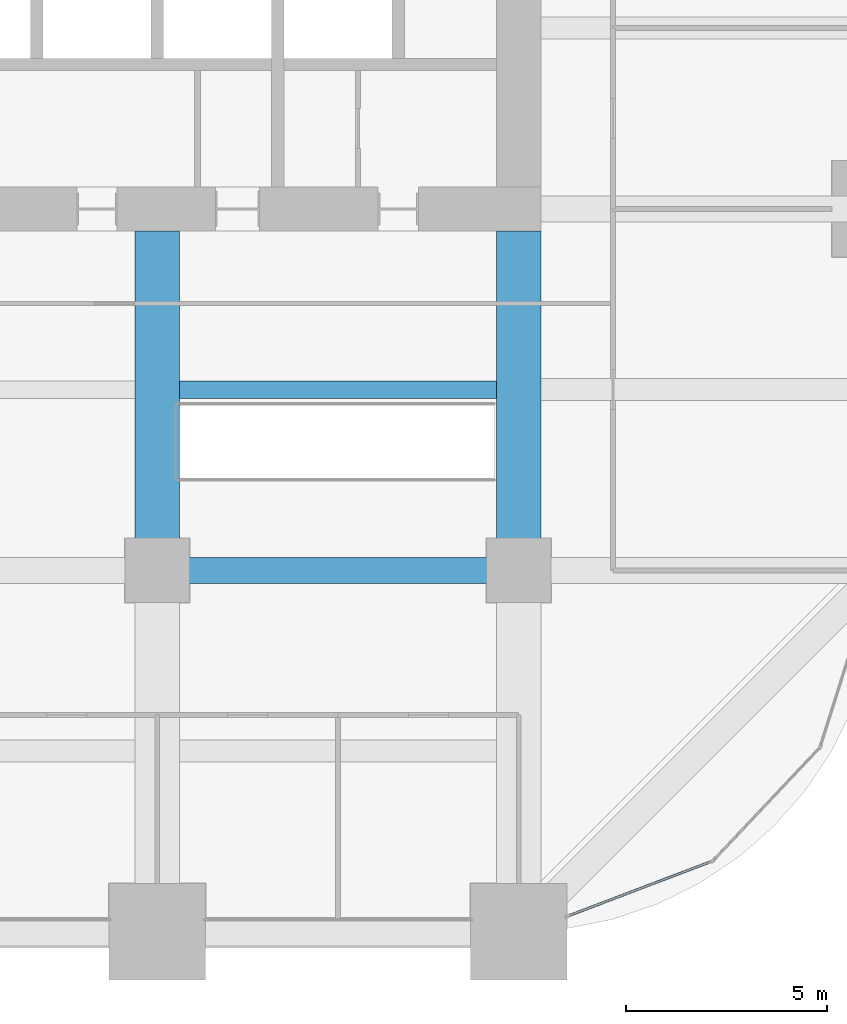
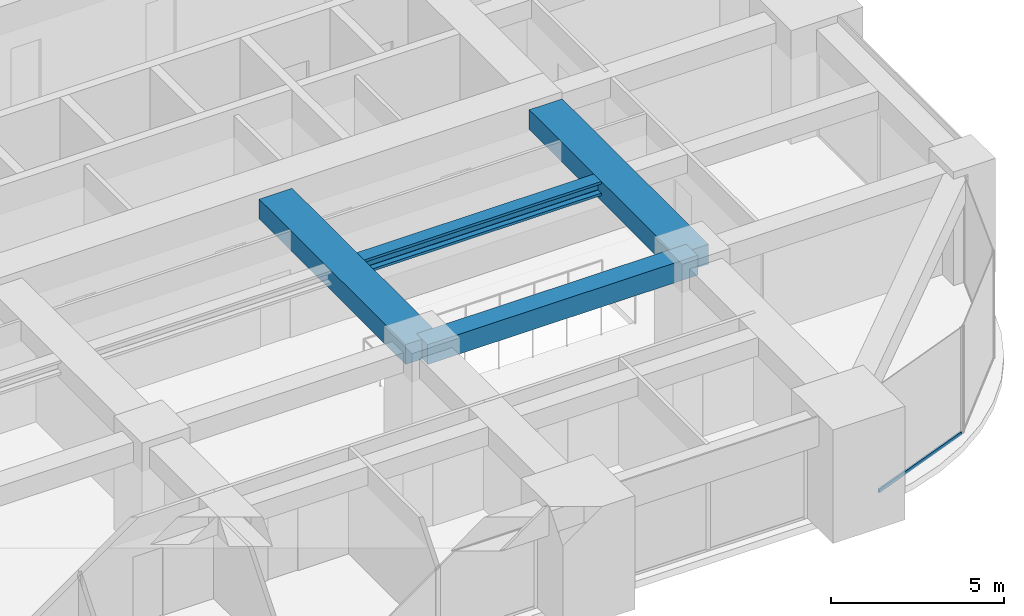
# One storey, part 15 of 33: 4 beams, 1 member, 1 element without a shape of its own.
"""IFC4 building model written with IfcOpenShell, lengths in metres."""

import ifcopenshell
import ifcopenshell.guid

model = None  # the IFC model being written
_history = None  # IfcOwnerHistory: only IFC2X3 demands one
_inside = {}  # id of a spatial element -> (the spatial element, [elements in it])
_under = {}  # id of a project, library or spatial element -> (it, [spatial elements below it])
_declared = {}  # id of a project -> (the project, [libraries it declares])
_typed = {}  # id of a type object -> (the type object, [elements of that type])
_made_of = {}  # id of a material, layer set ... -> (it, [elements and type objects made of it])


def new_model(schema):
    """Start an empty IFC model of exactly this schema.

    Asked for "IFC4X3", IfcOpenShell would pick the latest addendum, in which some entities
    have other attributes; the version numbers below select the first issue.
    IFC2X3 requires an IfcOwnerHistory on every rooted entity: one is made here for all.
    """
    global model, _history
    if schema == "IFC4X3":
        model = ifcopenshell.file(schema_version=(4, 3, 0, 0))
    else:
        model = ifcopenshell.file(schema=schema)
    _inside.clear()
    _under.clear()
    _declared.clear()
    _typed.clear()
    _made_of.clear()
    _history = None
    if model.schema == "IFC2X3":
        org = make("IfcOrganization", Name="unknown")
        user = make(
            "IfcPersonAndOrganization",
            ThePerson=make("IfcPerson", FamilyName="unknown"),
            TheOrganization=org,
        )
        app = make(
            "IfcApplication",
            ApplicationDeveloper=org,
            Version="unknown",
            ApplicationFullName="unknown",
            ApplicationIdentifier="unknown",
        )
        _history = make(
            "IfcOwnerHistory",
            OwningUser=user,
            OwningApplication=app,
            ChangeAction="ADDED",
            CreationDate=0,
        )
    return model


def make(cls, **values):
    """One entity of the class cls with the attributes given. An attribute that is None is left unset."""
    return model.create_entity(
        cls, **{name: value for name, value in values.items() if value is not None}
    )


def rooted(cls, **values):
    """An entity with a GlobalId (a new one), such as an element, a storey or a relation."""
    return make(cls, GlobalId=ifcopenshell.guid.new(), OwnerHistory=_history, **values)


def si_unit(unit_type, name, prefix=None):
    """IfcSIUnit, for example si_unit("LENGTHUNIT", "METRE", prefix="MILLI")."""
    return make("IfcSIUnit", UnitType=unit_type, Prefix=prefix, Name=name)


def assignment(units):
    """IfcUnitAssignment: the units of a project."""
    return None if units is None else make("IfcUnitAssignment", Units=units)


def point(xyz):
    """IfcCartesianPoint."""
    return None if xyz is None else make("IfcCartesianPoint", Coordinates=xyz)


def direction(xyz):
    """IfcDirection."""
    return None if xyz is None else make("IfcDirection", DirectionRatios=xyz)


def frame(location, z_axis=None, x_axis=None):
    """IfcAxis2Placement3D, a coordinate frame: its origin and axes. An axis left out is left unset."""
    return make(
        "IfcAxis2Placement3D",
        Location=point(location),
        Axis=direction(z_axis),
        RefDirection=direction(x_axis),
    )


def frame_2d(location, x_axis=None):
    """IfcAxis2Placement2D, a coordinate frame in the plane: its origin and x axis."""
    return make(
        "IfcAxis2Placement2D", Location=point(location), RefDirection=direction(x_axis)
    )


def origin():
    """The frame at (0, 0, 0) with its axes left unset."""
    return frame((0.0, 0.0, 0.0))


def origin_2d():
    """The frame at (0, 0) in the plane with its x axis left unset."""
    return frame_2d((0.0, 0.0))


def place(relative_to, where):
    """IfcLocalPlacement: puts the frame where relative to a parent placement (None: the world)."""
    return make(
        "IfcLocalPlacement", PlacementRelTo=relative_to, RelativePlacement=where
    )


def context(
    kind, dimensions, precision=None, world=None, true_north=None, identifier=None
):
    """IfcGeometricRepresentationContext, for example the 3D "Model" context."""
    return make(
        "IfcGeometricRepresentationContext",
        ContextIdentifier=identifier,
        ContextType=kind,
        CoordinateSpaceDimension=dimensions,
        Precision=precision,
        WorldCoordinateSystem=world,
        TrueNorth=true_north,
    )


def subcontext(parent, identifier, kind, view, scale=None):
    """IfcGeometricRepresentationSubContext, for example "Body" below "Model"."""
    return make(
        "IfcGeometricRepresentationSubContext",
        ContextIdentifier=identifier,
        ContextType=kind,
        ParentContext=parent,
        TargetScale=scale,
        TargetView=view,
    )


def project(units=None, contexts=None):
    """IfcProject with its units and contexts."""
    return rooted(
        "IfcProject",
        Name="project",
        RepresentationContexts=contexts,
        UnitsInContext=assignment(units),
    )


def spatial(cls, under=None, at=None, **own):
    """A site, building, storey or space (cls), placed at a placement, below another one or the project."""
    s = rooted(cls, ObjectPlacement=at, **own)
    if under is not None:
        _under.setdefault(under.id(), (under, []))[1].append(s)
    return s


def profile(cls, at=None, kind="AREA", **sizes):
    """A parametric profile (cls). Its sizes go by their IFC names, for example OverallWidth=200.0."""
    return make(cls, ProfileType=kind, Position=at, **sizes)


def rectangle(**sizes):
    """IfcRectangleProfileDef."""
    return profile("IfcRectangleProfileDef", **sizes)


def hollow_rectangle(**sizes):
    """IfcRectangleHollowProfileDef."""
    return profile("IfcRectangleHollowProfileDef", **sizes)


def i_section(**sizes):
    """IfcIShapeProfileDef."""
    return profile("IfcIShapeProfileDef", **sizes)


def extrude(swept, where, along, depth):
    """IfcExtrudedAreaSolid: the profile swept, set in the frame where, extruded along a direction by depth."""
    return make(
        "IfcExtrudedAreaSolid",
        SweptArea=swept,
        Position=where,
        ExtrudedDirection=direction(along),
        Depth=depth,
    )


def shape(context_of_items, identifier, shape_type, items):
    """IfcShapeRepresentation: the items that make up one representation, for example the "Body"."""
    return make(
        "IfcShapeRepresentation",
        ContextOfItems=context_of_items,
        RepresentationIdentifier=identifier,
        RepresentationType=shape_type,
        Items=items,
    )


def material(Name=None, Category=None):
    """IfcMaterial."""
    return make("IfcMaterial", Name=Name, Category=Category)


def material_profile(
    of_material, cross_section, Name=None, Category=None, Priority=None
):
    """IfcMaterialProfile: a cross section and its material."""
    return make(
        "IfcMaterialProfile",
        Name=Name,
        Material=of_material,
        Profile=cross_section,
        Priority=Priority,
        Category=Category,
    )


def profile_set(profiles, Name=None, composite=None):
    """IfcMaterialProfileSet."""
    return make(
        "IfcMaterialProfileSet",
        Name=Name,
        MaterialProfiles=profiles,
        CompositeProfile=composite,
    )


def made_of(thing, what):
    """Note that an element or type object is made of a material, layer set ...; save() writes the relation."""
    if what is not None:
        _made_of.setdefault(what.id(), (what, []))[1].append(thing)
    return thing


def type_object(cls, material=None, **own):
    """A type object (cls), such as IfcWallType, which elements share."""
    return made_of(rooted(cls, **own), material)


def element(
    cls,
    number,
    at=None,
    inside=None,
    cuts=None,
    type_object=None,
    material=None,
    context=None,
    identifier="Body",
    shape_type=None,
    held_by="IfcProductDefinitionShape",
    body=None,
    shapes=None,
    **own,
):
    """One element of the class cls, such as IfcWall. Its Tag is "e" and its number.

    at: its placement. inside: the storey or other place that contains it. cuts: it is an
    opening in that element (IfcRelVoidsElement). A single representation is given by context,
    identifier, shape_type and body (its items); several are given by shapes. held_by: the class
    of the entity that holds the representations. save() writes the other relations.
    """
    e = rooted(cls, Tag="e%d" % number, ObjectPlacement=at, **own)
    if body is not None:
        shapes = [shape(context, identifier, shape_type, body)]
    if shapes is not None:
        e.Representation = make(held_by, Representations=shapes)
    if inside is not None:
        _inside.setdefault(inside.id(), (inside, []))[1].append(e)
    if cuts is not None:
        rooted(
            "IfcRelVoidsElement", RelatingBuildingElement=cuts, RelatedOpeningElement=e
        )
    if type_object is not None:
        _typed.setdefault(type_object.id(), (type_object, []))[1].append(e)
    return made_of(e, material)


def aggregate(whole, parts):
    """IfcRelAggregates: a whole, such as a stair, and the parts it consists of."""
    return rooted("IfcRelAggregates", RelatingObject=whole, RelatedObjects=parts)


def save(model, path):
    """Write the relations noted so far, then the file.

    IfcRelAggregates (storeys below a building ...), IfcRelContainedInSpatialStructure (elements
    in a storey), IfcRelDefinesByType, IfcRelAssociatesMaterial and IfcRelDeclares: one each for
    every whole, place, type object, material and project.
    """
    for whole, parts in _under.values():
        aggregate(whole, parts)
    for where, things in _inside.values():
        rooted(
            "IfcRelContainedInSpatialStructure",
            RelatedElements=things,
            RelatingStructure=where,
        )
    for kind, things in _typed.values():
        rooted("IfcRelDefinesByType", RelatedObjects=things, RelatingType=kind)
    for what, things in _made_of.values():
        rooted("IfcRelAssociatesMaterial", RelatedObjects=things, RelatingMaterial=what)
    for by, libraries in _declared.values():
        rooted("IfcRelDeclares", RelatingContext=by, RelatedDefinitions=libraries)
    model.write(path)


model = new_model("IFC4")

# Units and contexts
model_context = context("Model", 3, precision=1e-05, world=origin(), true_north=direction((0.0, 1.0)))
body_context = subcontext(model_context, "Body", "Model", "MODEL_VIEW")
ifc_project = project(units=[si_unit("LENGTHUNIT", "METRE"), si_unit("AREAUNIT", "SQUARE_METRE"), si_unit("VOLUMEUNIT", "CUBIC_METRE"), si_unit("PLANEANGLEUNIT", "RADIAN"), si_unit("MASSUNIT", "GRAM", prefix="KILO")], contexts=[model_context])

# Site, building, storey
site_placement = place(None, origin())
site = spatial("IfcSite", under=ifc_project, at=site_placement, CompositionType="ELEMENT")
building_placement = place(site_placement, origin())
building = spatial("IfcBuilding", under=site, at=building_placement, Name="Zorevar Civic Tower", CompositionType="ELEMENT")
storey_placement = place(building_placement, frame((0.0, 0.0, 178.199951171875)))
storey = spatial("IfcBuildingStorey", under=building, at=storey_placement, Name="L43", CompositionType="ELEMENT", Elevation=178.199951171875)

# Beams
ifc_material_1 = material(Name="Concrete C50/60", Category="concrete")
ifc_material_profile_1 = material_profile(ifc_material_1, rectangle(XDim=1.10009765625, YDim=0.699951171875, at=origin_2d()), Name="RC 1100x700")
ifc_profile_set_1 = profile_set([ifc_material_profile_1], Name="Concrete C50/60")
beam_type_1 = type_object("IfcBeamType", Name="Beam RC 1100x700", PredefinedType="BEAM", material=ifc_profile_set_1)
for number, where, z_axis, x_axis, name in (
    (1, (36.0, 9.0, 3.400146484375), (0.0, 1.0, 0.0), (-1.0, 0.0, 0.0), "Girder L44"),
    (2, (45.0, 9.0, 3.400146484375), (0.0, 1.0, 0.0), (-1.0, 0.0, 0.0), "Girder L44"),
):
    element("IfcBeam", number, at=place(storey_placement, frame(where, z_axis=z_axis, x_axis=x_axis)), inside=storey, type_object=beam_type_1, Name=name, PredefinedType="BEAM", context=body_context, shape_type="SweptSolid", body=[
        extrude(rectangle(XDim=1.10009765625, YDim=0.699951171875, at=origin_2d()), origin(), (0.0, 0.0, 1.0), 8.449951171875),
    ])
ifc_material_2 = material(Name="Concrete C50/60", Category="concrete")
ifc_material_profile_2 = material_profile(ifc_material_2, rectangle(XDim=0.64990234375, YDim=0.699951171875, at=origin_2d()), Name="RC 650x700")
ifc_profile_set_2 = profile_set([ifc_material_profile_2], Name="Concrete C50/60")
beam_type_2 = type_object("IfcBeamType", Name="Beam RC 650x700", PredefinedType="BEAM", material=ifc_profile_set_2)
beam_1_placement = place(storey_placement, frame((36.0, 9.0, 3.400146484375), z_axis=(1.0, 0.0, 0.0), x_axis=(0.0, 1.0, 0.0)))
element("IfcBeam", 3, at=beam_1_placement, inside=storey, type_object=beam_type_2, Name="Girder L44", PredefinedType="BEAM", context=body_context, shape_type="SweptSolid", body=[
    extrude(rectangle(XDim=0.64990234375, YDim=0.699951171875, at=origin_2d()), origin(), (0.0, 0.0, 1.0), 9.0),
])

# Curtain wall, member
ifc_material_3 = material(Name="Dark grey solar-control glass in black aluminium frame", Category="aluminium")
curtain_wall_type = type_object("IfcCurtainWallType", Name="Curtain wall CW4 high zone", PredefinedType="NOTDEFINED", material=ifc_material_3)
curtain_wall_placement = place(storey_placement, origin())
curtain_wall = element("IfcCurtainWall", 4, at=curtain_wall_placement, inside=storey, type_object=curtain_wall_type, Name="CW4 L43", PredefinedType="NOTDEFINED")
ifc_material_4 = material(Name="Aluminium, black anodised", Category="aluminium")
ifc_material_profile_3 = material_profile(ifc_material_4, hollow_rectangle(XDim=0.06005859375, YDim=0.1201171875, WallThickness=0.0029296875, at=origin_2d()), Name="AL 120x60x3")
ifc_profile_set_3 = profile_set([ifc_material_profile_3], Name="Aluminium, black anodised")
member_type = type_object("IfcMemberType", Name="CW4 transom AL 120x60x3", PredefinedType="USERDEFINED", material=ifc_profile_set_3)
member_placement = place(storey_placement, frame((46.256103515625, 0.404541015625, 0.030029296875), z_axis=(0.934589335576, 0.355728511406, 0.0), x_axis=(-0.355728511406, 0.934589335576, 0.0)))
member = element("IfcMember", 5, at=member_placement, type_object=member_type, Name="CW4 sill transom", ObjectType="TRANSOM", PredefinedType="USERDEFINED", context=body_context, shape_type="SweptSolid", body=[
    extrude(hollow_rectangle(XDim=0.06005859375, YDim=0.1201171875, WallThickness=0.0029296875, at=origin_2d()), origin(), (0.0, 0.0, 1.0), 3.76708984375),
])
aggregate(curtain_wall, [member])

# Beam
ifc_material_5 = material(Name="Steel S460M (HISTAR 460)", Category="steel")
ifc_material_profile_4 = material_profile(ifc_material_5, i_section(OverallWidth=0.431884765625, OverallDepth=0.498046875, WebThickness=0.0556640625, FlangeThickness=0.0888671875, FilletRadius=0.014892578125, at=origin_2d()), Name="HD 400x744")
ifc_profile_set_4 = profile_set([ifc_material_profile_4], Name="Steel S460M (HISTAR 460)")
beam_type_3 = type_object("IfcBeamType", Name="Core bay beam HD 400x744", PredefinedType="BEAM", material=ifc_profile_set_4)
beam_2_placement = place(storey_placement, frame((36.550048828125, 13.5, 3.5009765625), z_axis=(1.0, 0.0, 0.0), x_axis=(0.0, 1.0, 0.0)))
element("IfcBeam", 6, at=beam_2_placement, inside=storey, type_object=beam_type_3, Name="Secondary beam L44", PredefinedType="BEAM", context=body_context, shape_type="SweptSolid", body=[
    extrude(i_section(OverallWidth=0.431884765625, OverallDepth=0.498046875, WebThickness=0.0556640625, FlangeThickness=0.0888671875, FilletRadius=0.014892578125, at=origin_2d()), origin(), (0.0, 0.0, 1.0), 7.89990234375),
])

save(model, "model.ifc")
